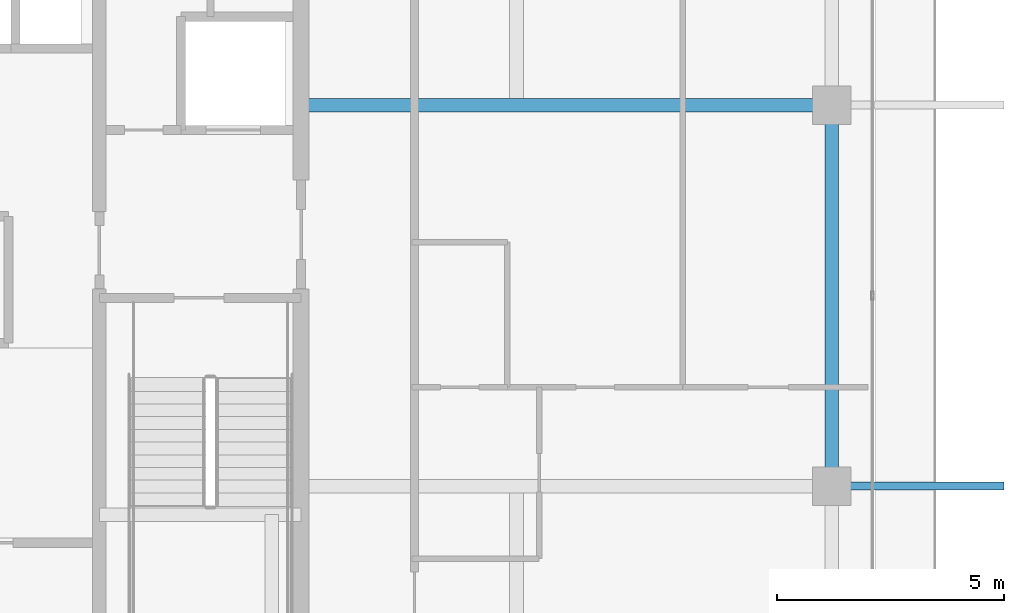
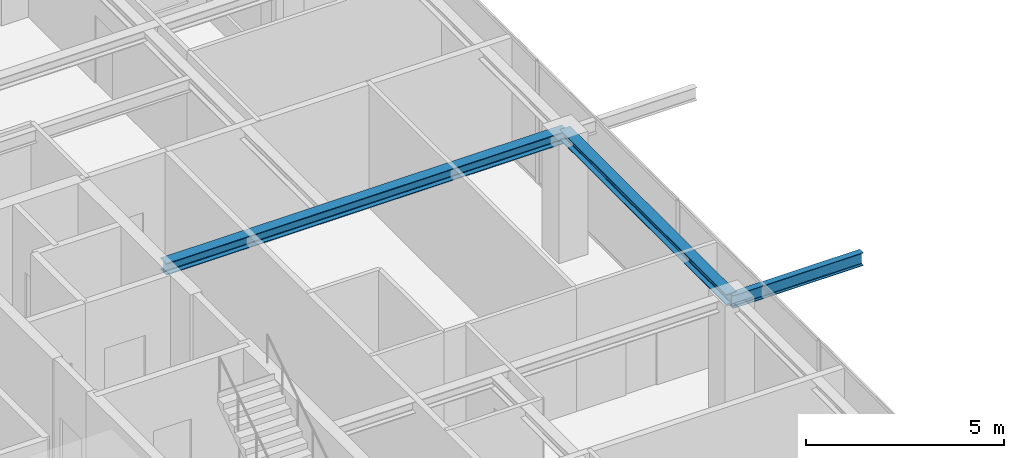
# One storey, part 14 of 36: 3 beams.
"""IFC4 building model written with IfcOpenShell, lengths in metres."""

from ifc_helpers import new_model, si_unit, direction, frame, origin, origin_2d, place, context, subcontext, project, spatial, i_section, extrude, source, transform, mapped, material, material_profile, profile_set, type_object, element, save


model = new_model("IFC4")

# Units and contexts
model_context = context("Model", 3, precision=1e-05, world=origin(), true_north=direction((0.0, 1.0)))
body_context = subcontext(model_context, "Body", "Model", "MODEL_VIEW")
ifc_project = project(units=[si_unit("LENGTHUNIT", "METRE"), si_unit("AREAUNIT", "SQUARE_METRE"), si_unit("VOLUMEUNIT", "CUBIC_METRE"), si_unit("PLANEANGLEUNIT", "RADIAN"), si_unit("MASSUNIT", "GRAM", prefix="KILO")], contexts=[model_context])

# Site, building, storey
site_placement = place(None, origin())
site = spatial("IfcSite", under=ifc_project, at=site_placement, CompositionType="ELEMENT")
building_placement = place(site_placement, origin())
building = spatial("IfcBuilding", under=site, at=building_placement, Name="Serunith Strait Residences", CompositionType="ELEMENT")
storey_placement = place(building_placement, frame((0.0, 0.0, 338.0)))
storey = spatial("IfcBuildingStorey", under=building, at=storey_placement, Name="L84", CompositionType="ELEMENT", Elevation=338.0)

# Beams
ifc_material = material(Name="Steel S355J2", Category="steel")
ifc_material_profile_1 = material_profile(ifc_material, i_section(OverallWidth=0.300048828125, OverallDepth=0.360107421875, WebThickness=0.012451171875, FlangeThickness=0.0224609375, FilletRadius=0.027099609375, at=origin_2d()), Name="HEB 360")
ifc_profile_set_1 = profile_set([ifc_material_profile_1], Name="Steel S355J2")
beam_type_1 = type_object("IfcBeamType", Name="BM-HEB360", PredefinedType="BEAM", material=ifc_profile_set_1)
shared_shape_1 = source(origin(), body_context, "Body", "SweptSolid", [
    extrude(i_section(OverallWidth=0.300048828125, OverallDepth=0.360107421875, WebThickness=0.012451171875, FlangeThickness=0.0224609375, FilletRadius=0.027099609375, at=origin_2d()), origin(), (0.0, 0.0, 1.0), 11.7001953125),
])
beam_1_placement = place(storey_placement, frame((41.39990234375, 29.39990234375, 3.60693359375), z_axis=(1.0, 0.0, 0.0), x_axis=(0.0, 1.0, 0.0)))
element("IfcBeam", 1, at=beam_1_placement, inside=storey, type_object=beam_type_1, Name="L84 Primary Floor Girder TC-E3", PredefinedType="BEAM", context=body_context, shape_type="MappedRepresentation", body=[
    mapped(shared_shape_1, transform((0.0, 0.0, 0.0), scale=1.0)),
])
ifc_material_profile_2 = material_profile(ifc_material, i_section(OverallWidth=0.300048828125, OverallDepth=0.320068359375, WebThickness=0.011474609375, FlangeThickness=0.0205078125, FilletRadius=0.027099609375, at=origin_2d()), Name="HEB 320")
ifc_profile_set_2 = profile_set([ifc_material_profile_2], Name="Steel S355J2")
beam_type_2 = type_object("IfcBeamType", Name="BM-HEB320", PredefinedType="BEAM", material=ifc_profile_set_2)
shared_shape_2 = source(origin(), body_context, "Body", "SweptSolid", [
    extrude(i_section(OverallWidth=0.300048828125, OverallDepth=0.320068359375, WebThickness=0.011474609375, FlangeThickness=0.0205078125, FilletRadius=0.027099609375, at=origin_2d()), origin(), (0.0, 0.0, 1.0), 8.39990234375),
])
beam_2_placement = place(storey_placement, frame((53.10009765625, 21.0, 3.626953125), z_axis=(0.0, 1.0, 0.0), x_axis=(-1.0, 0.0, 0.0)))
element("IfcBeam", 2, at=beam_2_placement, inside=storey, type_object=beam_type_2, Name="L84 Perimeter Ring Beam 06", PredefinedType="BEAM", context=body_context, shape_type="MappedRepresentation", body=[
    mapped(shared_shape_2, transform((0.0, 0.0, 0.0), scale=1.0)),
])
ifc_material_profile_3 = material_profile(ifc_material, i_section(OverallWidth=0.179931640625, OverallDepth=0.39990234375, WebThickness=0.008544921875, FlangeThickness=0.013427734375, FilletRadius=0.02099609375, at=origin_2d()), Name="IPE 400")
ifc_profile_set_3 = profile_set([ifc_material_profile_3], Name="Steel S355J2")
beam_type_3 = type_object("IfcBeamType", Name="BM-IPE400", PredefinedType="JOIST", material=ifc_profile_set_3)
shared_shape_3 = source(origin(), body_context, "Body", "SweptSolid", [
    extrude(i_section(OverallWidth=0.179931640625, OverallDepth=0.39990234375, WebThickness=0.008544921875, FlangeThickness=0.013427734375, FilletRadius=0.02099609375, at=origin_2d()), origin(), (0.0, 0.0, 1.0), 3.7998046875),
])
beam_3_placement = place(storey_placement, frame((53.10009765625, 21.0, 3.556884765625), z_axis=(1.0, 0.0, 0.0), x_axis=(0.0, 1.0, 0.0)))
element("IfcBeam", 3, at=beam_3_placement, inside=storey, type_object=beam_type_3, Name="L85 Cantilevered Balcony Rib TC-E2", PredefinedType="JOIST", context=body_context, shape_type="MappedRepresentation", body=[
    mapped(shared_shape_3, transform((0.0, 0.0, 0.0), scale=1.0)),
])

save(model, "model.ifc")
